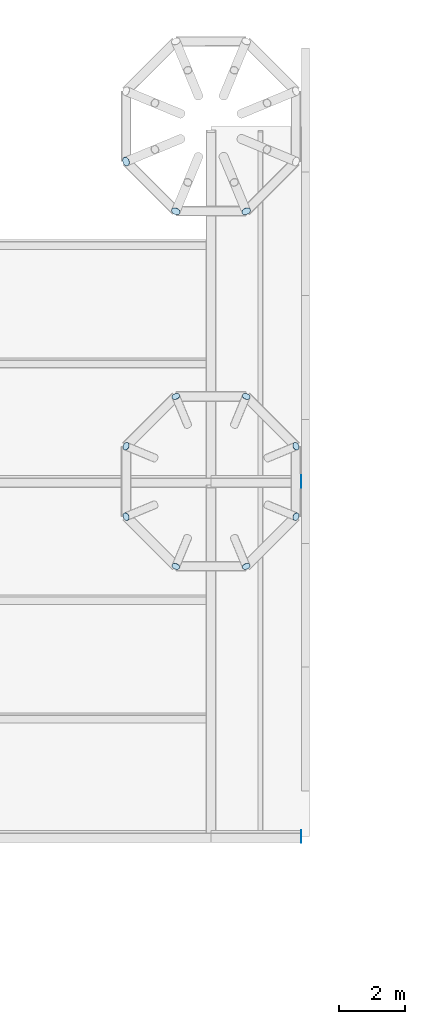
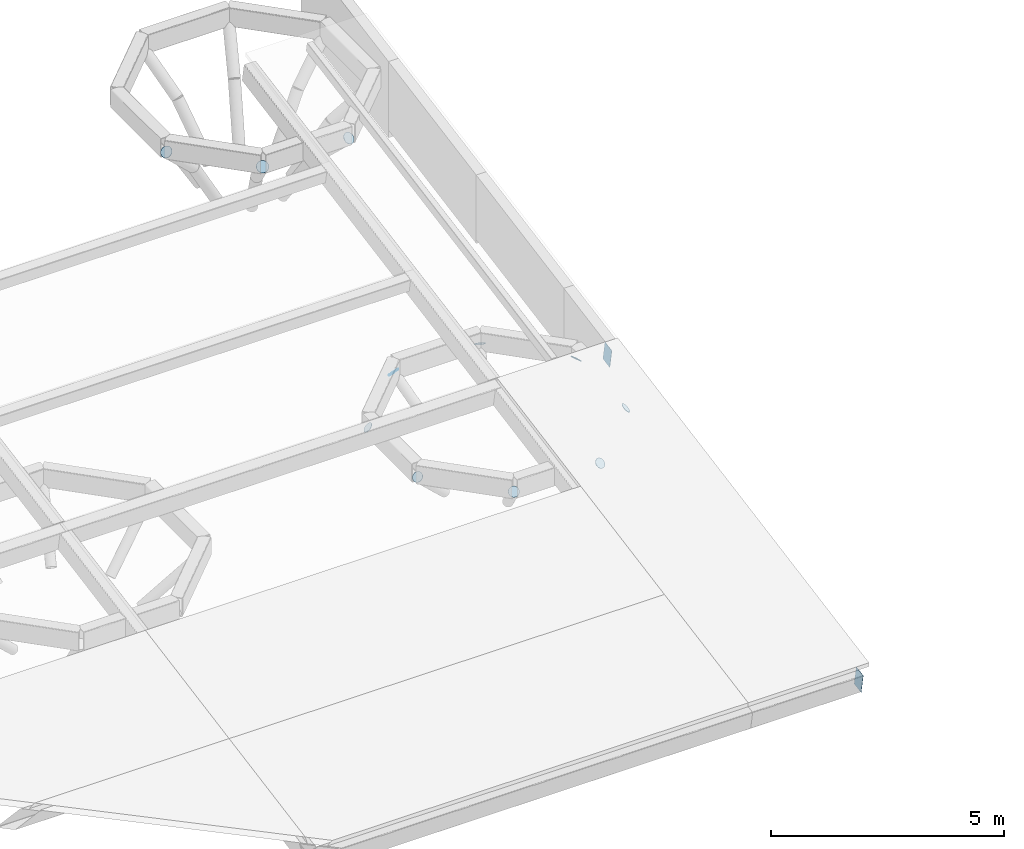
# One storey, part 28 of 42: 13 plates.
"""IFC4 building model written with IfcOpenShell, lengths in metres."""

import ifcopenshell
import ifcopenshell.guid

model = None  # the IFC model being written
_history = None  # IfcOwnerHistory: only IFC2X3 demands one
_inside = {}  # id of a spatial element -> (the spatial element, [elements in it])
_under = {}  # id of a project, library or spatial element -> (it, [spatial elements below it])
_declared = {}  # id of a project -> (the project, [libraries it declares])
_typed = {}  # id of a type object -> (the type object, [elements of that type])
_made_of = {}  # id of a material, layer set ... -> (it, [elements and type objects made of it])


def new_model(schema):
    """Start an empty IFC model of exactly this schema.

    Asked for "IFC4X3", IfcOpenShell would pick the latest addendum, in which some entities
    have other attributes; the version numbers below select the first issue.
    IFC2X3 requires an IfcOwnerHistory on every rooted entity: one is made here for all.
    """
    global model, _history
    if schema == "IFC4X3":
        model = ifcopenshell.file(schema_version=(4, 3, 0, 0))
    else:
        model = ifcopenshell.file(schema=schema)
    _inside.clear()
    _under.clear()
    _declared.clear()
    _typed.clear()
    _made_of.clear()
    _history = None
    if model.schema == "IFC2X3":
        org = make("IfcOrganization", Name="unknown")
        user = make(
            "IfcPersonAndOrganization",
            ThePerson=make("IfcPerson", FamilyName="unknown"),
            TheOrganization=org,
        )
        app = make(
            "IfcApplication",
            ApplicationDeveloper=org,
            Version="unknown",
            ApplicationFullName="unknown",
            ApplicationIdentifier="unknown",
        )
        _history = make(
            "IfcOwnerHistory",
            OwningUser=user,
            OwningApplication=app,
            ChangeAction="ADDED",
            CreationDate=0,
        )
    return model


def make(cls, **values):
    """One entity of the class cls with the attributes given. An attribute that is None is left unset."""
    return model.create_entity(
        cls, **{name: value for name, value in values.items() if value is not None}
    )


def rooted(cls, **values):
    """An entity with a GlobalId (a new one), such as an element, a storey or a relation."""
    return make(cls, GlobalId=ifcopenshell.guid.new(), OwnerHistory=_history, **values)


def si_unit(unit_type, name, prefix=None):
    """IfcSIUnit, for example si_unit("LENGTHUNIT", "METRE", prefix="MILLI")."""
    return make("IfcSIUnit", UnitType=unit_type, Prefix=prefix, Name=name)


def assignment(units):
    """IfcUnitAssignment: the units of a project."""
    return None if units is None else make("IfcUnitAssignment", Units=units)


def point(xyz):
    """IfcCartesianPoint."""
    return None if xyz is None else make("IfcCartesianPoint", Coordinates=xyz)


def direction(xyz):
    """IfcDirection."""
    return None if xyz is None else make("IfcDirection", DirectionRatios=xyz)


def frame(location, z_axis=None, x_axis=None):
    """IfcAxis2Placement3D, a coordinate frame: its origin and axes. An axis left out is left unset."""
    return make(
        "IfcAxis2Placement3D",
        Location=point(location),
        Axis=direction(z_axis),
        RefDirection=direction(x_axis),
    )


def frame_2d(location, x_axis=None):
    """IfcAxis2Placement2D, a coordinate frame in the plane: its origin and x axis."""
    return make(
        "IfcAxis2Placement2D", Location=point(location), RefDirection=direction(x_axis)
    )


def origin():
    """The frame at (0, 0, 0) with its axes left unset."""
    return frame((0.0, 0.0, 0.0))


def origin_2d():
    """The frame at (0, 0) in the plane with its x axis left unset."""
    return frame_2d((0.0, 0.0))


def place(relative_to, where):
    """IfcLocalPlacement: puts the frame where relative to a parent placement (None: the world)."""
    return make(
        "IfcLocalPlacement", PlacementRelTo=relative_to, RelativePlacement=where
    )


def context(
    kind, dimensions, precision=None, world=None, true_north=None, identifier=None
):
    """IfcGeometricRepresentationContext, for example the 3D "Model" context."""
    return make(
        "IfcGeometricRepresentationContext",
        ContextIdentifier=identifier,
        ContextType=kind,
        CoordinateSpaceDimension=dimensions,
        Precision=precision,
        WorldCoordinateSystem=world,
        TrueNorth=true_north,
    )


def subcontext(parent, identifier, kind, view, scale=None):
    """IfcGeometricRepresentationSubContext, for example "Body" below "Model"."""
    return make(
        "IfcGeometricRepresentationSubContext",
        ContextIdentifier=identifier,
        ContextType=kind,
        ParentContext=parent,
        TargetScale=scale,
        TargetView=view,
    )


def project(units=None, contexts=None):
    """IfcProject with its units and contexts."""
    return rooted(
        "IfcProject",
        Name="project",
        RepresentationContexts=contexts,
        UnitsInContext=assignment(units),
    )


def spatial(cls, under=None, at=None, **own):
    """A site, building, storey or space (cls), placed at a placement, below another one or the project."""
    s = rooted(cls, ObjectPlacement=at, **own)
    if under is not None:
        _under.setdefault(under.id(), (under, []))[1].append(s)
    return s


def profile(cls, at=None, kind="AREA", **sizes):
    """A parametric profile (cls). Its sizes go by their IFC names, for example OverallWidth=200.0."""
    return make(cls, ProfileType=kind, Position=at, **sizes)


def rectangle(**sizes):
    """IfcRectangleProfileDef."""
    return profile("IfcRectangleProfileDef", **sizes)


def circle(**sizes):
    """IfcCircleProfileDef."""
    return profile("IfcCircleProfileDef", **sizes)


def extrude(swept, where, along, depth):
    """IfcExtrudedAreaSolid: the profile swept, set in the frame where, extruded along a direction by depth."""
    return make(
        "IfcExtrudedAreaSolid",
        SweptArea=swept,
        Position=where,
        ExtrudedDirection=direction(along),
        Depth=depth,
    )


def shape(context_of_items, identifier, shape_type, items):
    """IfcShapeRepresentation: the items that make up one representation, for example the "Body"."""
    return make(
        "IfcShapeRepresentation",
        ContextOfItems=context_of_items,
        RepresentationIdentifier=identifier,
        RepresentationType=shape_type,
        Items=items,
    )


def material(Name=None, Category=None):
    """IfcMaterial."""
    return make("IfcMaterial", Name=Name, Category=Category)


def material_profile(
    of_material, cross_section, Name=None, Category=None, Priority=None
):
    """IfcMaterialProfile: a cross section and its material."""
    return make(
        "IfcMaterialProfile",
        Name=Name,
        Material=of_material,
        Profile=cross_section,
        Priority=Priority,
        Category=Category,
    )


def profile_set(profiles, Name=None, composite=None):
    """IfcMaterialProfileSet."""
    return make(
        "IfcMaterialProfileSet",
        Name=Name,
        MaterialProfiles=profiles,
        CompositeProfile=composite,
    )


def made_of(thing, what):
    """Note that an element or type object is made of a material, layer set ...; save() writes the relation."""
    if what is not None:
        _made_of.setdefault(what.id(), (what, []))[1].append(thing)
    return thing


def type_object(cls, material=None, **own):
    """A type object (cls), such as IfcWallType, which elements share."""
    return made_of(rooted(cls, **own), material)


def element(
    cls,
    number,
    at=None,
    inside=None,
    cuts=None,
    type_object=None,
    material=None,
    context=None,
    identifier="Body",
    shape_type=None,
    held_by="IfcProductDefinitionShape",
    body=None,
    shapes=None,
    **own,
):
    """One element of the class cls, such as IfcWall. Its Tag is "e" and its number.

    at: its placement. inside: the storey or other place that contains it. cuts: it is an
    opening in that element (IfcRelVoidsElement). A single representation is given by context,
    identifier, shape_type and body (its items); several are given by shapes. held_by: the class
    of the entity that holds the representations. save() writes the other relations.
    """
    e = rooted(cls, Tag="e%d" % number, ObjectPlacement=at, **own)
    if body is not None:
        shapes = [shape(context, identifier, shape_type, body)]
    if shapes is not None:
        e.Representation = make(held_by, Representations=shapes)
    if inside is not None:
        _inside.setdefault(inside.id(), (inside, []))[1].append(e)
    if cuts is not None:
        rooted(
            "IfcRelVoidsElement", RelatingBuildingElement=cuts, RelatedOpeningElement=e
        )
    if type_object is not None:
        _typed.setdefault(type_object.id(), (type_object, []))[1].append(e)
    return made_of(e, material)


def aggregate(whole, parts):
    """IfcRelAggregates: a whole, such as a stair, and the parts it consists of."""
    return rooted("IfcRelAggregates", RelatingObject=whole, RelatedObjects=parts)


def save(model, path):
    """Write the relations noted so far, then the file.

    IfcRelAggregates (storeys below a building ...), IfcRelContainedInSpatialStructure (elements
    in a storey), IfcRelDefinesByType, IfcRelAssociatesMaterial and IfcRelDeclares: one each for
    every whole, place, type object, material and project.
    """
    for whole, parts in _under.values():
        aggregate(whole, parts)
    for where, things in _inside.values():
        rooted(
            "IfcRelContainedInSpatialStructure",
            RelatedElements=things,
            RelatingStructure=where,
        )
    for kind, things in _typed.values():
        rooted("IfcRelDefinesByType", RelatedObjects=things, RelatingType=kind)
    for what, things in _made_of.values():
        rooted("IfcRelAssociatesMaterial", RelatedObjects=things, RelatingMaterial=what)
    for by, libraries in _declared.values():
        rooted("IfcRelDeclares", RelatingContext=by, RelatedDefinitions=libraries)
    model.write(path)


model = new_model("IFC4")

# Units and contexts
model_context = context("Model", 3, precision=1e-05, world=origin(), true_north=direction((0.0, 1.0)))
body_context = subcontext(model_context, "Body", "Model", "MODEL_VIEW")
ifc_project = project(units=[si_unit("LENGTHUNIT", "METRE"), si_unit("AREAUNIT", "SQUARE_METRE"), si_unit("VOLUMEUNIT", "CUBIC_METRE"), si_unit("PLANEANGLEUNIT", "RADIAN"), si_unit("MASSUNIT", "GRAM", prefix="KILO")], contexts=[model_context])

# Site, building, storey
site_placement = place(None, origin())
site = spatial("IfcSite", under=ifc_project, at=site_placement, CompositionType="ELEMENT")
building_placement = place(site_placement, origin())
building = spatial("IfcBuilding", under=site, at=building_placement, Name="Magnolia Steps Interchange", CompositionType="ELEMENT")
storey_placement = place(building_placement, frame((0.0, 0.0, 12.60009765625)))
storey = spatial("IfcBuildingStorey", under=building, at=storey_placement, Name="L03", CompositionType="ELEMENT", Elevation=12.60009765625)

# Plates
ifc_material_1 = material(Name="Steel Q355B", Category="steel")
ifc_material_profile_1 = material_profile(ifc_material_1, circle(Radius=0.12255859375, at=origin_2d()), Name="End plate CHS245x12")
ifc_profile_set_1 = profile_set([ifc_material_profile_1], Name="Steel Q355B")
plate_type_1 = type_object("IfcPlateType", Name="End plate CHS245x12", PredefinedType="SHEET", material=ifc_profile_set_1)
for number, where, z_axis, x_axis, name in (
    (1, (120.580078125, 65.068603515625, 1.349853515625), (0.664583318381, 0.275279424158, 0.694658370398), (-0.382683432789, 0.923879532336, 0.0), "End plate Tree rib"),
    (2, (119.068603515625, 66.580078125, 1.349853515625), (0.275279424158, 0.664583318381, 0.694658370398), (-0.923879532336, 0.382683432789, 0.0), "End plate Tree rib"),
    (3, (116.931396484375, 66.580078125, 1.349853515625), (-0.275279424158, 0.664583318381, 0.694658370398), (-0.923879532336, -0.382683432789, 0.0), "End plate Tree rib"),
    (4, (115.419921875, 65.068603515625, 1.349853515625), (-0.664583318381, 0.275279424158, 0.694658370398), (-0.382683432789, -0.923879532336, 0.0), "End plate Tree rib"),
    (5, (115.419921875, 62.931396484375, 1.349853515625), (-0.664583318381, -0.275279424158, 0.694658370398), (0.382683432789, -0.923879532336, 0.0), "End plate Tree rib"),
    (6, (116.931396484375, 61.419921875, 1.349853515625), (-0.275279424158, -0.664583318381, 0.694658370398), (0.923879532336, -0.382683432789, 0.0), "End plate Tree rib"),
    (7, (119.068603515625, 61.419921875, 1.349853515625), (0.275279424158, -0.664583318381, 0.694658370398), (0.923879532336, 0.382683432789, 0.0), "End plate Tree rib"),
    (8, (120.580078125, 62.931396484375, 1.349853515625), (0.664583318381, -0.275279424158, 0.694658370398), (0.382683432789, 0.923879532336, 0.0), "End plate Tree rib"),
):
    element("IfcPlate", number, at=place(storey_placement, frame(where, z_axis=z_axis, x_axis=x_axis)), inside=storey, type_object=plate_type_1, Name=name, PredefinedType="SHEET", context=body_context, shape_type="SweptSolid", body=[
        extrude(circle(Radius=0.12255859375, at=origin_2d()), origin(), (0.0, 0.0, 1.0), 0.008056640625),
    ])
ifc_material_2 = material(Name="Steel Q355B", Category="steel")
ifc_material_profile_2 = material_profile(ifc_material_2, circle(Radius=0.136474609375, at=origin_2d()), Name="End plate CHS273x14")
ifc_profile_set_2 = profile_set([ifc_material_profile_2], Name="Steel Q355B")
plate_type_2 = type_object("IfcPlateType", Name="End plate CHS273x14", PredefinedType="SHEET", material=ifc_profile_set_2)
for number, where, z_axis, x_axis, name in (
    (9, (115.419921875, 73.731201171875, 3.325439453125), (-0.664583318381, -0.275279424158, 0.694658370398), (0.382683432789, -0.923879532336, 0.0), "End plate Tree rib"),
    (10, (116.931396484375, 72.219970703125, 3.325439453125), (-0.275279424158, -0.664583318381, 0.694658370398), (0.923879532336, -0.382683432789, 0.0), "End plate Tree rib"),
    (11, (119.068603515625, 72.219970703125, 3.325439453125), (0.275279424158, -0.664583318381, 0.694658370398), (0.923879532336, 0.382683432789, 0.0), "End plate Tree rib"),
):
    element("IfcPlate", number, at=place(storey_placement, frame(where, z_axis=z_axis, x_axis=x_axis)), inside=storey, type_object=plate_type_2, Name=name, PredefinedType="SHEET", context=body_context, shape_type="SweptSolid", body=[
        extrude(circle(Radius=0.136474609375, at=origin_2d()), origin(), (0.0, 0.0, 1.0), 0.008056640625),
    ])
ifc_material_3 = material(Name="Steel Q355B", Category="steel")
ifc_material_profile_3 = material_profile(ifc_material_3, rectangle(XDim=0.300048828125, YDim=0.5, at=origin_2d()), Name="End plate RHS500x300x16")
ifc_profile_set_3 = profile_set([ifc_material_profile_3], Name="Steel Q355B")
plate_type_3 = type_object("IfcPlateType", Name="End plate RHS500x300x16", PredefinedType="SHEET", material=ifc_profile_set_3)
for number, where, z_axis, x_axis, name in (
    (12, (120.739990234375, 53.199951171875, 0.068603515625), (1.0, 0.0, 0.0), (0.0, 0.98367737698, 0.17994115154), "End plate Roof beam"),
    (13, (120.739990234375, 64.0, 2.044189453125), (1.0, 0.0, 0.0), (0.0, 0.98367737698, 0.17994115154), "End plate Roof beam"),
):
    element("IfcPlate", number, at=place(storey_placement, frame(where, z_axis=z_axis, x_axis=x_axis)), inside=storey, type_object=plate_type_3, Name=name, PredefinedType="SHEET", context=body_context, shape_type="SweptSolid", body=[
        extrude(rectangle(XDim=0.300048828125, YDim=0.5, at=origin_2d()), origin(), (0.0, 0.0, 1.0), 0.008056640625),
    ])

save(model, "model.ifc")
